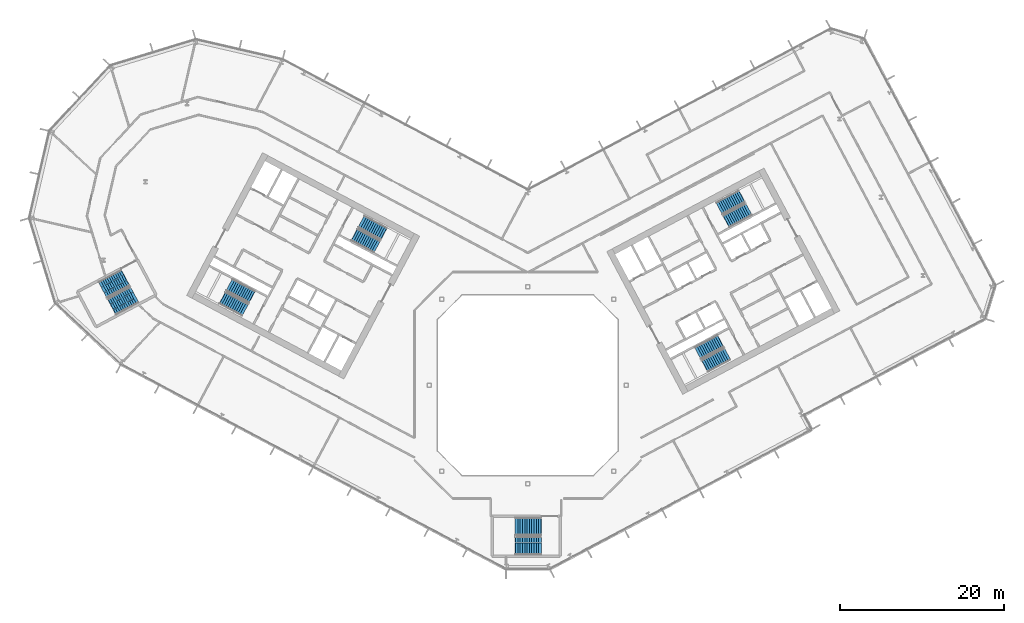
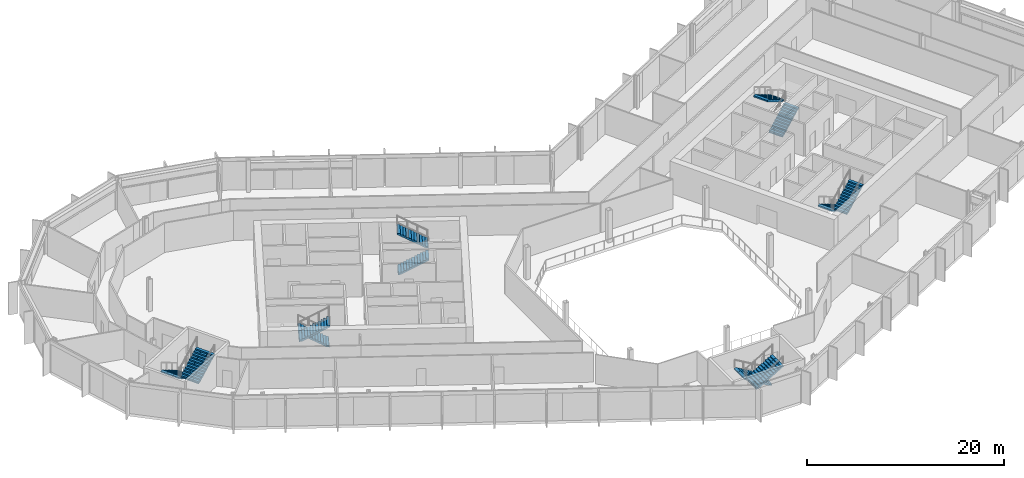
# One storey, part 18 of 28: 12 stair flights, 6 elements without a shape of their own.
"""IFC4 building model written with IfcOpenShell, lengths in metres."""

import ifcopenshell
import ifcopenshell.guid

model = None  # the IFC model being written
_history = None  # IfcOwnerHistory: only IFC2X3 demands one
_inside = {}  # id of a spatial element -> (the spatial element, [elements in it])
_under = {}  # id of a project, library or spatial element -> (it, [spatial elements below it])
_declared = {}  # id of a project -> (the project, [libraries it declares])
_typed = {}  # id of a type object -> (the type object, [elements of that type])
_made_of = {}  # id of a material, layer set ... -> (it, [elements and type objects made of it])


def new_model(schema):
    """Start an empty IFC model of exactly this schema.

    Asked for "IFC4X3", IfcOpenShell would pick the latest addendum, in which some entities
    have other attributes; the version numbers below select the first issue.
    IFC2X3 requires an IfcOwnerHistory on every rooted entity: one is made here for all.
    """
    global model, _history
    if schema == "IFC4X3":
        model = ifcopenshell.file(schema_version=(4, 3, 0, 0))
    else:
        model = ifcopenshell.file(schema=schema)
    _inside.clear()
    _under.clear()
    _declared.clear()
    _typed.clear()
    _made_of.clear()
    _history = None
    if model.schema == "IFC2X3":
        org = make("IfcOrganization", Name="unknown")
        user = make(
            "IfcPersonAndOrganization",
            ThePerson=make("IfcPerson", FamilyName="unknown"),
            TheOrganization=org,
        )
        app = make(
            "IfcApplication",
            ApplicationDeveloper=org,
            Version="unknown",
            ApplicationFullName="unknown",
            ApplicationIdentifier="unknown",
        )
        _history = make(
            "IfcOwnerHistory",
            OwningUser=user,
            OwningApplication=app,
            ChangeAction="ADDED",
            CreationDate=0,
        )
    return model


def make(cls, **values):
    """One entity of the class cls with the attributes given. An attribute that is None is left unset."""
    return model.create_entity(
        cls, **{name: value for name, value in values.items() if value is not None}
    )


def rooted(cls, **values):
    """An entity with a GlobalId (a new one), such as an element, a storey or a relation."""
    return make(cls, GlobalId=ifcopenshell.guid.new(), OwnerHistory=_history, **values)


def si_unit(unit_type, name, prefix=None):
    """IfcSIUnit, for example si_unit("LENGTHUNIT", "METRE", prefix="MILLI")."""
    return make("IfcSIUnit", UnitType=unit_type, Prefix=prefix, Name=name)


def assignment(units):
    """IfcUnitAssignment: the units of a project."""
    return None if units is None else make("IfcUnitAssignment", Units=units)


def point(xyz):
    """IfcCartesianPoint."""
    return None if xyz is None else make("IfcCartesianPoint", Coordinates=xyz)


def direction(xyz):
    """IfcDirection."""
    return None if xyz is None else make("IfcDirection", DirectionRatios=xyz)


def frame(location, z_axis=None, x_axis=None):
    """IfcAxis2Placement3D, a coordinate frame: its origin and axes. An axis left out is left unset."""
    return make(
        "IfcAxis2Placement3D",
        Location=point(location),
        Axis=direction(z_axis),
        RefDirection=direction(x_axis),
    )


def origin():
    """The frame at (0, 0, 0) with its axes left unset."""
    return frame((0.0, 0.0, 0.0))


def place(relative_to, where):
    """IfcLocalPlacement: puts the frame where relative to a parent placement (None: the world)."""
    return make(
        "IfcLocalPlacement", PlacementRelTo=relative_to, RelativePlacement=where
    )


def context(
    kind, dimensions, precision=None, world=None, true_north=None, identifier=None
):
    """IfcGeometricRepresentationContext, for example the 3D "Model" context."""
    return make(
        "IfcGeometricRepresentationContext",
        ContextIdentifier=identifier,
        ContextType=kind,
        CoordinateSpaceDimension=dimensions,
        Precision=precision,
        WorldCoordinateSystem=world,
        TrueNorth=true_north,
    )


def subcontext(parent, identifier, kind, view, scale=None):
    """IfcGeometricRepresentationSubContext, for example "Body" below "Model"."""
    return make(
        "IfcGeometricRepresentationSubContext",
        ContextIdentifier=identifier,
        ContextType=kind,
        ParentContext=parent,
        TargetScale=scale,
        TargetView=view,
    )


def project(units=None, contexts=None):
    """IfcProject with its units and contexts."""
    return rooted(
        "IfcProject",
        Name="project",
        RepresentationContexts=contexts,
        UnitsInContext=assignment(units),
    )


def spatial(cls, under=None, at=None, **own):
    """A site, building, storey or space (cls), placed at a placement, below another one or the project."""
    s = rooted(cls, ObjectPlacement=at, **own)
    if under is not None:
        _under.setdefault(under.id(), (under, []))[1].append(s)
    return s


def polyline(points):
    """IfcPolyline through the points."""
    return make("IfcPolyline", Points=[point(p) for p in points])


def outline(outer, holes=None, kind="AREA"):
    """IfcArbitraryClosedProfileDef: a profile drawn as a closed curve; with holes, ...WithVoids."""
    if holes is None:
        return make("IfcArbitraryClosedProfileDef", ProfileType=kind, OuterCurve=outer)
    return make(
        "IfcArbitraryProfileDefWithVoids",
        ProfileType=kind,
        OuterCurve=outer,
        InnerCurves=holes,
    )


def extrude(swept, where, along, depth):
    """IfcExtrudedAreaSolid: the profile swept, set in the frame where, extruded along a direction by depth."""
    return make(
        "IfcExtrudedAreaSolid",
        SweptArea=swept,
        Position=where,
        ExtrudedDirection=direction(along),
        Depth=depth,
    )


def shape(context_of_items, identifier, shape_type, items):
    """IfcShapeRepresentation: the items that make up one representation, for example the "Body"."""
    return make(
        "IfcShapeRepresentation",
        ContextOfItems=context_of_items,
        RepresentationIdentifier=identifier,
        RepresentationType=shape_type,
        Items=items,
    )


def material(Name=None, Category=None):
    """IfcMaterial."""
    return make("IfcMaterial", Name=Name, Category=Category)


def made_of(thing, what):
    """Note that an element or type object is made of a material, layer set ...; save() writes the relation."""
    if what is not None:
        _made_of.setdefault(what.id(), (what, []))[1].append(thing)
    return thing


def type_object(cls, material=None, **own):
    """A type object (cls), such as IfcWallType, which elements share."""
    return made_of(rooted(cls, **own), material)


def element(
    cls,
    number,
    at=None,
    inside=None,
    cuts=None,
    type_object=None,
    material=None,
    context=None,
    identifier="Body",
    shape_type=None,
    held_by="IfcProductDefinitionShape",
    body=None,
    shapes=None,
    **own,
):
    """One element of the class cls, such as IfcWall. Its Tag is "e" and its number.

    at: its placement. inside: the storey or other place that contains it. cuts: it is an
    opening in that element (IfcRelVoidsElement). A single representation is given by context,
    identifier, shape_type and body (its items); several are given by shapes. held_by: the class
    of the entity that holds the representations. save() writes the other relations.
    """
    e = rooted(cls, Tag="e%d" % number, ObjectPlacement=at, **own)
    if body is not None:
        shapes = [shape(context, identifier, shape_type, body)]
    if shapes is not None:
        e.Representation = make(held_by, Representations=shapes)
    if inside is not None:
        _inside.setdefault(inside.id(), (inside, []))[1].append(e)
    if cuts is not None:
        rooted(
            "IfcRelVoidsElement", RelatingBuildingElement=cuts, RelatedOpeningElement=e
        )
    if type_object is not None:
        _typed.setdefault(type_object.id(), (type_object, []))[1].append(e)
    return made_of(e, material)


def aggregate(whole, parts):
    """IfcRelAggregates: a whole, such as a stair, and the parts it consists of."""
    return rooted("IfcRelAggregates", RelatingObject=whole, RelatedObjects=parts)


def save(model, path):
    """Write the relations noted so far, then the file.

    IfcRelAggregates (storeys below a building ...), IfcRelContainedInSpatialStructure (elements
    in a storey), IfcRelDefinesByType, IfcRelAssociatesMaterial and IfcRelDeclares: one each for
    every whole, place, type object, material and project.
    """
    for whole, parts in _under.values():
        aggregate(whole, parts)
    for where, things in _inside.values():
        rooted(
            "IfcRelContainedInSpatialStructure",
            RelatedElements=things,
            RelatingStructure=where,
        )
    for kind, things in _typed.values():
        rooted("IfcRelDefinesByType", RelatedObjects=things, RelatingType=kind)
    for what, things in _made_of.values():
        rooted("IfcRelAssociatesMaterial", RelatedObjects=things, RelatingMaterial=what)
    for by, libraries in _declared.values():
        rooted("IfcRelDeclares", RelatingContext=by, RelatedDefinitions=libraries)
    model.write(path)


model = new_model("IFC4")

# Units and contexts
model_context = context("Model", 3, precision=1e-05, world=origin(), true_north=direction((0.0, 1.0)))
body_context = subcontext(model_context, "Body", "Model", "MODEL_VIEW")
ifc_project = project(units=[si_unit("LENGTHUNIT", "METRE"), si_unit("AREAUNIT", "SQUARE_METRE"), si_unit("VOLUMEUNIT", "CUBIC_METRE"), si_unit("PLANEANGLEUNIT", "RADIAN"), si_unit("MASSUNIT", "GRAM", prefix="KILO")], contexts=[model_context])

# Site, building, storey
site_placement = place(None, origin())
site = spatial("IfcSite", under=ifc_project, at=site_placement, CompositionType="ELEMENT")
building_placement = place(site_placement, origin())
building = spatial("IfcBuilding", under=site, at=building_placement, Name="Cormorant Relay Tower", CompositionType="ELEMENT")
storey_placement = place(building_placement, frame((0.0, 0.0, 134.199951171875)))
storey = spatial("IfcBuildingStorey", under=building, at=storey_placement, Name="L27", CompositionType="ELEMENT", Elevation=134.199951171875)

# Stair, stair flights
ifc_material_1 = material(Name="Concrete 40 MPa", Category="concrete")
stair_type_1 = type_object("IfcStairType", Name="Exit stair 1500", PredefinedType="HALF_TURN_STAIR", material=ifc_material_1)
stair_1_placement = place(storey_placement, origin())
stair_1 = element("IfcStair", 1, at=stair_1_placement, inside=storey, type_object=stair_type_1, Name="L27 Stair", PredefinedType="HALF_TURN_STAIR")
ifc_material_2 = material(Name="Concrete 40 MPa", Category="concrete")
stair_flight_type_1 = type_object("IfcStairFlightType", Name="Exit stair flight 1650", PredefinedType="STRAIGHT", material=ifc_material_2)
stair_flight_1_placement = place(storey_placement, frame((-21.114501953125, 18.33349609375, 0.0), z_axis=(0.0, 0.0, 1.0), x_axis=(0.882947592859, -0.469471562786, 0.0)))
stair_flight_1 = element("IfcStairFlight", 2, at=stair_flight_1_placement, type_object=stair_flight_type_1, Name="A1 flight 1", NumberOfRisers=12, NumberOfTreads=11, PredefinedType="STRAIGHT", RiserHeight=0.166666667, TreadLength=0.28, context=body_context, shape_type="SweptSolid", body=[
    extrude(outline(polyline([(-0.050048828125, -0.080078125), (-0.050048828125, 0.0), (0.0, 0.0), (0.0, 0.166748046875), (0.280029296875, 0.166748046875), (0.280029296875, 0.333251953125), (0.56005859375, 0.333251953125), (0.56005859375, 0.5), (0.840087890625, 0.5), (0.840087890625, 0.666748046875), (1.1201171875, 0.666748046875), (1.1201171875, 0.833251953125), (1.39990234375, 0.833251953125), (1.39990234375, 1.0), (1.679931640625, 1.0), (1.679931640625, 1.166748046875), (1.9599609375, 1.166748046875), (1.9599609375, 1.333251953125), (2.239990234375, 1.333251953125), (2.239990234375, 1.5), (2.52001953125, 1.5), (2.52001953125, 1.666748046875), (2.800048828125, 1.666748046875), (2.800048828125, 1.833251953125), (3.080078125, 1.833251953125), (3.130126953125, 1.833251953125), (3.130126953125, 1.658935546875), (3.080078125, 1.658935546875), (0.29296875, 0.0), (-0.050048828125, -0.080078125)])), frame((0.0, 0.824951171875, 0.0), z_axis=(0.0, -1.0, 0.0), x_axis=(1.0, 0.0, 0.0)), (0.0, 0.0, 1.0), 1.64990234375),
])
stair_flight_2_placement = place(storey_placement, frame((-17.5498046875, 18.47705078125, 2.0), z_axis=(0.0, 0.0, 1.0), x_axis=(-0.882947592859, 0.469471562786, 0.0)))
stair_flight_2 = element("IfcStairFlight", 3, at=stair_flight_2_placement, type_object=stair_flight_type_1, Name="A1 flight 2", NumberOfRisers=12, NumberOfTreads=11, PredefinedType="STRAIGHT", RiserHeight=0.166666667, TreadLength=0.28, context=body_context, shape_type="SweptSolid", body=[
    extrude(outline(polyline([(-0.050048828125, -0.080078125), (-0.050048828125, 0.0), (0.0, 0.0), (0.0, 0.166748046875), (0.280029296875, 0.166748046875), (0.280029296875, 0.333251953125), (0.56005859375, 0.333251953125), (0.56005859375, 0.5), (0.840087890625, 0.5), (0.840087890625, 0.666748046875), (1.1201171875, 0.666748046875), (1.1201171875, 0.833251953125), (1.39990234375, 0.833251953125), (1.39990234375, 1.0), (1.679931640625, 1.0), (1.679931640625, 1.166748046875), (1.9599609375, 1.166748046875), (1.9599609375, 1.333251953125), (2.239990234375, 1.333251953125), (2.239990234375, 1.5), (2.52001953125, 1.5), (2.52001953125, 1.666748046875), (2.800048828125, 1.666748046875), (2.800048828125, 1.833251953125), (3.080078125, 1.833251953125), (3.130126953125, 1.833251953125), (3.130126953125, 1.658935546875), (3.080078125, 1.658935546875), (0.29296875, 0.0), (-0.050048828125, -0.080078125)])), frame((0.0, 0.824951171875, 0.0), z_axis=(0.0, -1.0, 0.0), x_axis=(1.0, 0.0, 0.0)), (0.0, 0.0, 1.0), 1.64990234375),
])
aggregate(stair_1, [stair_flight_1, stair_flight_2])

stair_2_placement = place(storey_placement, origin())
stair_2 = element("IfcStair", 4, at=stair_2_placement, inside=storey, type_object=stair_type_1, Name="L27 Stair", PredefinedType="HALF_TURN_STAIR")
stair_flight_3_placement = place(storey_placement, frame((-33.62841796875, 10.773681640625, 0.0), z_axis=(0.0, 0.0, 1.0), x_axis=(-0.882947592859, 0.469471562786, 0.0)))
stair_flight_3 = element("IfcStairFlight", 5, at=stair_flight_3_placement, type_object=stair_flight_type_1, Name="A2 flight 1", NumberOfRisers=12, NumberOfTreads=11, PredefinedType="STRAIGHT", RiserHeight=0.166666667, TreadLength=0.28, context=body_context, shape_type="SweptSolid", body=[
    extrude(outline(polyline([(-0.050048828125, -0.080078125), (-0.050048828125, 0.0), (0.0, 0.0), (0.0, 0.166748046875), (0.280029296875, 0.166748046875), (0.280029296875, 0.333251953125), (0.56005859375, 0.333251953125), (0.56005859375, 0.5), (0.840087890625, 0.5), (0.840087890625, 0.666748046875), (1.1201171875, 0.666748046875), (1.1201171875, 0.833251953125), (1.39990234375, 0.833251953125), (1.39990234375, 1.0), (1.679931640625, 1.0), (1.679931640625, 1.166748046875), (1.9599609375, 1.166748046875), (1.9599609375, 1.333251953125), (2.239990234375, 1.333251953125), (2.239990234375, 1.5), (2.52001953125, 1.5), (2.52001953125, 1.666748046875), (2.800048828125, 1.666748046875), (2.800048828125, 1.833251953125), (3.080078125, 1.833251953125), (3.130126953125, 1.833251953125), (3.130126953125, 1.658935546875), (3.080078125, 1.658935546875), (0.29296875, 0.0), (-0.050048828125, -0.080078125)])), frame((0.0, 0.824951171875, 0.0), z_axis=(0.0, -1.0, 0.0), x_axis=(1.0, 0.0, 0.0)), (0.0, 0.0, 1.0), 1.64990234375),
])
stair_flight_4_placement = place(storey_placement, frame((-37.19287109375, 10.63037109375, 2.0), z_axis=(0.0, 0.0, 1.0), x_axis=(0.882947592859, -0.469471562786, 0.0)))
stair_flight_4 = element("IfcStairFlight", 6, at=stair_flight_4_placement, type_object=stair_flight_type_1, Name="A2 flight 2", NumberOfRisers=12, NumberOfTreads=11, PredefinedType="STRAIGHT", RiserHeight=0.166666667, TreadLength=0.28, context=body_context, shape_type="SweptSolid", body=[
    extrude(outline(polyline([(-0.050048828125, -0.080078125), (-0.050048828125, 0.0), (0.0, 0.0), (0.0, 0.166748046875), (0.280029296875, 0.166748046875), (0.280029296875, 0.333251953125), (0.56005859375, 0.333251953125), (0.56005859375, 0.5), (0.840087890625, 0.5), (0.840087890625, 0.666748046875), (1.1201171875, 0.666748046875), (1.1201171875, 0.833251953125), (1.39990234375, 0.833251953125), (1.39990234375, 1.0), (1.679931640625, 1.0), (1.679931640625, 1.166748046875), (1.9599609375, 1.166748046875), (1.9599609375, 1.333251953125), (2.239990234375, 1.333251953125), (2.239990234375, 1.5), (2.52001953125, 1.5), (2.52001953125, 1.666748046875), (2.800048828125, 1.666748046875), (2.800048828125, 1.833251953125), (3.080078125, 1.833251953125), (3.130126953125, 1.833251953125), (3.130126953125, 1.658935546875), (3.080078125, 1.658935546875), (0.29296875, 0.0), (-0.050048828125, -0.080078125)])), frame((0.0, 0.824951171875, 0.0), z_axis=(0.0, -1.0, 0.0), x_axis=(1.0, 0.0, 0.0)), (0.0, 0.0, 1.0), 1.64990234375),
])
aggregate(stair_2, [stair_flight_3, stair_flight_4])

stair_3_placement = place(storey_placement, origin())
stair_3 = element("IfcStair", 7, at=stair_3_placement, inside=storey, type_object=stair_type_1, Name="L27 Stair", PredefinedType="HALF_TURN_STAIR")
stair_flight_5_placement = place(storey_placement, frame((23.474365234375, 5.374755859375, 0.0), z_axis=(0.0, 0.0, 1.0), x_axis=(-0.882947592859, -0.469471562786, 0.0)))
stair_flight_5 = element("IfcStairFlight", 8, at=stair_flight_5_placement, type_object=stair_flight_type_1, Name="B1 flight 1", NumberOfRisers=12, NumberOfTreads=11, PredefinedType="STRAIGHT", RiserHeight=0.166666667, TreadLength=0.28, context=body_context, shape_type="SweptSolid", body=[
    extrude(outline(polyline([(-0.050048828125, -0.080078125), (-0.050048828125, 0.0), (0.0, 0.0), (0.0, 0.166748046875), (0.280029296875, 0.166748046875), (0.280029296875, 0.333251953125), (0.56005859375, 0.333251953125), (0.56005859375, 0.5), (0.840087890625, 0.5), (0.840087890625, 0.666748046875), (1.1201171875, 0.666748046875), (1.1201171875, 0.833251953125), (1.39990234375, 0.833251953125), (1.39990234375, 1.0), (1.679931640625, 1.0), (1.679931640625, 1.166748046875), (1.9599609375, 1.166748046875), (1.9599609375, 1.333251953125), (2.239990234375, 1.333251953125), (2.239990234375, 1.5), (2.52001953125, 1.5), (2.52001953125, 1.666748046875), (2.800048828125, 1.666748046875), (2.800048828125, 1.833251953125), (3.080078125, 1.833251953125), (3.130126953125, 1.833251953125), (3.130126953125, 1.658935546875), (3.080078125, 1.658935546875), (0.29296875, 0.0), (-0.050048828125, -0.080078125)])), frame((0.0, 0.824951171875, 0.0), z_axis=(0.0, -1.0, 0.0), x_axis=(1.0, 0.0, 0.0)), (0.0, 0.0, 1.0), 1.64990234375),
])
stair_flight_6_placement = place(storey_placement, frame((21.60009765625, 2.33935546875, 2.0), z_axis=(0.0, 0.0, 1.0), x_axis=(0.882947592859, 0.469471562786, 0.0)))
stair_flight_6 = element("IfcStairFlight", 9, at=stair_flight_6_placement, type_object=stair_flight_type_1, Name="B1 flight 2", NumberOfRisers=12, NumberOfTreads=11, PredefinedType="STRAIGHT", RiserHeight=0.166666667, TreadLength=0.28, context=body_context, shape_type="SweptSolid", body=[
    extrude(outline(polyline([(-0.050048828125, -0.080078125), (-0.050048828125, 0.0), (0.0, 0.0), (0.0, 0.166748046875), (0.280029296875, 0.166748046875), (0.280029296875, 0.333251953125), (0.56005859375, 0.333251953125), (0.56005859375, 0.5), (0.840087890625, 0.5), (0.840087890625, 0.666748046875), (1.1201171875, 0.666748046875), (1.1201171875, 0.833251953125), (1.39990234375, 0.833251953125), (1.39990234375, 1.0), (1.679931640625, 1.0), (1.679931640625, 1.166748046875), (1.9599609375, 1.166748046875), (1.9599609375, 1.333251953125), (2.239990234375, 1.333251953125), (2.239990234375, 1.5), (2.52001953125, 1.5), (2.52001953125, 1.666748046875), (2.800048828125, 1.666748046875), (2.800048828125, 1.833251953125), (3.080078125, 1.833251953125), (3.130126953125, 1.833251953125), (3.130126953125, 1.658935546875), (3.080078125, 1.658935546875), (0.29296875, 0.0), (-0.050048828125, -0.080078125)])), frame((0.0, 0.824951171875, 0.0), z_axis=(0.0, -1.0, 0.0), x_axis=(1.0, 0.0, 0.0)), (0.0, 0.0, 1.0), 1.64990234375),
])
aggregate(stair_3, [stair_flight_5, stair_flight_6])

stair_4_placement = place(storey_placement, origin())
stair_4 = element("IfcStair", 10, at=stair_4_placement, inside=storey, type_object=stair_type_1, Name="L27 Stair", PredefinedType="HALF_TURN_STAIR")
stair_flight_7_placement = place(storey_placement, frame((24.20458984375, 19.976806640625, 0.0), z_axis=(0.0, 0.0, 1.0), x_axis=(0.882947592859, 0.469471562786, 0.0)))
stair_flight_7 = element("IfcStairFlight", 11, at=stair_flight_7_placement, type_object=stair_flight_type_1, Name="B2 flight 1", NumberOfRisers=12, NumberOfTreads=11, PredefinedType="STRAIGHT", RiserHeight=0.166666667, TreadLength=0.28, context=body_context, shape_type="SweptSolid", body=[
    extrude(outline(polyline([(-0.050048828125, -0.080078125), (-0.050048828125, 0.0), (0.0, 0.0), (0.0, 0.166748046875), (0.280029296875, 0.166748046875), (0.280029296875, 0.333251953125), (0.56005859375, 0.333251953125), (0.56005859375, 0.5), (0.840087890625, 0.5), (0.840087890625, 0.666748046875), (1.1201171875, 0.666748046875), (1.1201171875, 0.833251953125), (1.39990234375, 0.833251953125), (1.39990234375, 1.0), (1.679931640625, 1.0), (1.679931640625, 1.166748046875), (1.9599609375, 1.166748046875), (1.9599609375, 1.333251953125), (2.239990234375, 1.333251953125), (2.239990234375, 1.5), (2.52001953125, 1.5), (2.52001953125, 1.666748046875), (2.800048828125, 1.666748046875), (2.800048828125, 1.833251953125), (3.080078125, 1.833251953125), (3.130126953125, 1.833251953125), (3.130126953125, 1.658935546875), (3.080078125, 1.658935546875), (0.29296875, 0.0), (-0.050048828125, -0.080078125)])), frame((0.0, 0.824951171875, 0.0), z_axis=(0.0, -1.0, 0.0), x_axis=(1.0, 0.0, 0.0)), (0.0, 0.0, 1.0), 1.64990234375),
])
stair_flight_8_placement = place(storey_placement, frame((26.0791015625, 23.011962890625, 2.0), z_axis=(0.0, 0.0, 1.0), x_axis=(-0.882947592859, -0.469471562786, 0.0)))
stair_flight_8 = element("IfcStairFlight", 12, at=stair_flight_8_placement, type_object=stair_flight_type_1, Name="B2 flight 2", NumberOfRisers=12, NumberOfTreads=11, PredefinedType="STRAIGHT", RiserHeight=0.166666667, TreadLength=0.28, context=body_context, shape_type="SweptSolid", body=[
    extrude(outline(polyline([(-0.050048828125, -0.080078125), (-0.050048828125, 0.0), (0.0, 0.0), (0.0, 0.166748046875), (0.280029296875, 0.166748046875), (0.280029296875, 0.333251953125), (0.56005859375, 0.333251953125), (0.56005859375, 0.5), (0.840087890625, 0.5), (0.840087890625, 0.666748046875), (1.1201171875, 0.666748046875), (1.1201171875, 0.833251953125), (1.39990234375, 0.833251953125), (1.39990234375, 1.0), (1.679931640625, 1.0), (1.679931640625, 1.166748046875), (1.9599609375, 1.166748046875), (1.9599609375, 1.333251953125), (2.239990234375, 1.333251953125), (2.239990234375, 1.5), (2.52001953125, 1.5), (2.52001953125, 1.666748046875), (2.800048828125, 1.666748046875), (2.800048828125, 1.833251953125), (3.080078125, 1.833251953125), (3.130126953125, 1.833251953125), (3.130126953125, 1.658935546875), (3.080078125, 1.658935546875), (0.29296875, 0.0), (-0.050048828125, -0.080078125)])), frame((0.0, 0.824951171875, 0.0), z_axis=(0.0, -1.0, 0.0), x_axis=(1.0, 0.0, 0.0)), (0.0, 0.0, 1.0), 1.64990234375),
])
aggregate(stair_4, [stair_flight_7, stair_flight_8])

ifc_material_3 = material(Name="Concrete 40 MPa", Category="concrete")
stair_type_2 = type_object("IfcStairType", Name="Remote exit stair 2200", PredefinedType="HALF_TURN_STAIR", material=ifc_material_3)
stair_5_placement = place(storey_placement, origin())
stair_5 = element("IfcStair", 13, at=stair_5_placement, inside=storey, type_object=stair_type_2, Name="L27 Stair", PredefinedType="HALF_TURN_STAIR")
ifc_material_4 = material(Name="Concrete 40 MPa", Category="concrete")
stair_flight_type_2 = type_object("IfcStairFlightType", Name="Remote exit stair flight 2200", PredefinedType="STRAIGHT", material=ifc_material_4)
stair_flight_9_placement = place(storey_placement, frame((1.60009765625, -17.22509765625, 0.0), z_axis=(0.0, 0.0, 1.0), x_axis=(-1.0, 0.0, 0.0)))
stair_flight_9 = element("IfcStairFlight", 14, at=stair_flight_9_placement, type_object=stair_flight_type_2, Name="RK1 flight 1", NumberOfRisers=12, NumberOfTreads=11, PredefinedType="STRAIGHT", RiserHeight=0.166666667, TreadLength=0.28, context=body_context, shape_type="SweptSolid", body=[
    extrude(outline(polyline([(-0.050048828125, -0.080078125), (-0.050048828125, 0.0), (0.0, 0.0), (0.0, 0.166748046875), (0.280029296875, 0.166748046875), (0.280029296875, 0.333251953125), (0.56005859375, 0.333251953125), (0.56005859375, 0.5), (0.840087890625, 0.5), (0.840087890625, 0.666748046875), (1.1201171875, 0.666748046875), (1.1201171875, 0.833251953125), (1.39990234375, 0.833251953125), (1.39990234375, 1.0), (1.679931640625, 1.0), (1.679931640625, 1.166748046875), (1.9599609375, 1.166748046875), (1.9599609375, 1.333251953125), (2.239990234375, 1.333251953125), (2.239990234375, 1.5), (2.52001953125, 1.5), (2.52001953125, 1.666748046875), (2.800048828125, 1.666748046875), (2.800048828125, 1.833251953125), (3.080078125, 1.833251953125), (3.130126953125, 1.833251953125), (3.130126953125, 1.658935546875), (3.080078125, 1.658935546875), (0.29296875, 0.0), (-0.050048828125, -0.080078125)])), frame((0.0, 1.10009765625, 0.0), z_axis=(0.0, -1.0, 0.0), x_axis=(1.0, 0.0, 0.0)), (0.0, 0.0, 1.0), 0.719970703125),
    extrude(outline(polyline([(-0.050048828125, -0.080078125), (-0.050048828125, 0.0), (0.0, 0.0), (0.0, 0.166748046875), (0.280029296875, 0.166748046875), (0.280029296875, 0.333251953125), (0.56005859375, 0.333251953125), (0.56005859375, 0.5), (0.840087890625, 0.5), (0.840087890625, 0.666748046875), (1.1201171875, 0.666748046875), (1.1201171875, 0.833251953125), (1.39990234375, 0.833251953125), (1.39990234375, 1.0), (1.679931640625, 1.0), (1.679931640625, 1.166748046875), (1.9599609375, 1.166748046875), (1.9599609375, 1.333251953125), (2.239990234375, 1.333251953125), (2.239990234375, 1.5), (2.52001953125, 1.5), (2.52001953125, 1.666748046875), (2.800048828125, 1.666748046875), (2.800048828125, 1.833251953125), (3.080078125, 1.833251953125), (3.130126953125, 1.833251953125), (3.130126953125, 1.658935546875), (3.080078125, 1.658935546875), (0.29296875, 0.0), (-0.050048828125, -0.080078125)])), frame((0.0, 0.360107421875, 0.0), z_axis=(0.0, -1.0, 0.0), x_axis=(1.0, 0.0, 0.0)), (0.0, 0.0, 1.0), 0.719970703125),
    extrude(outline(polyline([(-0.050048828125, -0.080078125), (-0.050048828125, 0.0), (0.0, 0.0), (0.0, 0.166748046875), (0.280029296875, 0.166748046875), (0.280029296875, 0.333251953125), (0.56005859375, 0.333251953125), (0.56005859375, 0.5), (0.840087890625, 0.5), (0.840087890625, 0.666748046875), (1.1201171875, 0.666748046875), (1.1201171875, 0.833251953125), (1.39990234375, 0.833251953125), (1.39990234375, 1.0), (1.679931640625, 1.0), (1.679931640625, 1.166748046875), (1.9599609375, 1.166748046875), (1.9599609375, 1.333251953125), (2.239990234375, 1.333251953125), (2.239990234375, 1.5), (2.52001953125, 1.5), (2.52001953125, 1.666748046875), (2.800048828125, 1.666748046875), (2.800048828125, 1.833251953125), (3.080078125, 1.833251953125), (3.130126953125, 1.833251953125), (3.130126953125, 1.658935546875), (3.080078125, 1.658935546875), (0.29296875, 0.0), (-0.050048828125, -0.080078125)])), frame((0.0, -0.3798828125, 0.0), z_axis=(0.0, -1.0, 0.0), x_axis=(1.0, 0.0, 0.0)), (0.0, 0.0, 1.0), 0.719970703125),
])
stair_flight_10_placement = place(storey_placement, frame((-1.47998046875, -19.574951171875, 2.0), z_axis=(0.0, 0.0, 1.0), x_axis=(1.0, 0.0, 0.0)))
stair_flight_10 = element("IfcStairFlight", 15, at=stair_flight_10_placement, type_object=stair_flight_type_2, Name="RK1 flight 2", NumberOfRisers=12, NumberOfTreads=11, PredefinedType="STRAIGHT", RiserHeight=0.166666667, TreadLength=0.28, context=body_context, shape_type="SweptSolid", body=[
    extrude(outline(polyline([(-0.050048828125, -0.080078125), (-0.050048828125, 0.0), (0.0, 0.0), (0.0, 0.166748046875), (0.280029296875, 0.166748046875), (0.280029296875, 0.333251953125), (0.56005859375, 0.333251953125), (0.56005859375, 0.5), (0.840087890625, 0.5), (0.840087890625, 0.666748046875), (1.1201171875, 0.666748046875), (1.1201171875, 0.833251953125), (1.39990234375, 0.833251953125), (1.39990234375, 1.0), (1.679931640625, 1.0), (1.679931640625, 1.166748046875), (1.9599609375, 1.166748046875), (1.9599609375, 1.333251953125), (2.239990234375, 1.333251953125), (2.239990234375, 1.5), (2.52001953125, 1.5), (2.52001953125, 1.666748046875), (2.800048828125, 1.666748046875), (2.800048828125, 1.833251953125), (3.080078125, 1.833251953125), (3.130126953125, 1.833251953125), (3.130126953125, 1.658935546875), (3.080078125, 1.658935546875), (0.29296875, 0.0), (-0.050048828125, -0.080078125)])), frame((0.0, 1.10009765625, 0.0), z_axis=(0.0, -1.0, 0.0), x_axis=(1.0, 0.0, 0.0)), (0.0, 0.0, 1.0), 0.719970703125),
    extrude(outline(polyline([(-0.050048828125, -0.080078125), (-0.050048828125, 0.0), (0.0, 0.0), (0.0, 0.166748046875), (0.280029296875, 0.166748046875), (0.280029296875, 0.333251953125), (0.56005859375, 0.333251953125), (0.56005859375, 0.5), (0.840087890625, 0.5), (0.840087890625, 0.666748046875), (1.1201171875, 0.666748046875), (1.1201171875, 0.833251953125), (1.39990234375, 0.833251953125), (1.39990234375, 1.0), (1.679931640625, 1.0), (1.679931640625, 1.166748046875), (1.9599609375, 1.166748046875), (1.9599609375, 1.333251953125), (2.239990234375, 1.333251953125), (2.239990234375, 1.5), (2.52001953125, 1.5), (2.52001953125, 1.666748046875), (2.800048828125, 1.666748046875), (2.800048828125, 1.833251953125), (3.080078125, 1.833251953125), (3.130126953125, 1.833251953125), (3.130126953125, 1.658935546875), (3.080078125, 1.658935546875), (0.29296875, 0.0), (-0.050048828125, -0.080078125)])), frame((0.0, 0.360107421875, 0.0), z_axis=(0.0, -1.0, 0.0), x_axis=(1.0, 0.0, 0.0)), (0.0, 0.0, 1.0), 0.719970703125),
    extrude(outline(polyline([(-0.050048828125, -0.080078125), (-0.050048828125, 0.0), (0.0, 0.0), (0.0, 0.166748046875), (0.280029296875, 0.166748046875), (0.280029296875, 0.333251953125), (0.56005859375, 0.333251953125), (0.56005859375, 0.5), (0.840087890625, 0.5), (0.840087890625, 0.666748046875), (1.1201171875, 0.666748046875), (1.1201171875, 0.833251953125), (1.39990234375, 0.833251953125), (1.39990234375, 1.0), (1.679931640625, 1.0), (1.679931640625, 1.166748046875), (1.9599609375, 1.166748046875), (1.9599609375, 1.333251953125), (2.239990234375, 1.333251953125), (2.239990234375, 1.5), (2.52001953125, 1.5), (2.52001953125, 1.666748046875), (2.800048828125, 1.666748046875), (2.800048828125, 1.833251953125), (3.080078125, 1.833251953125), (3.130126953125, 1.833251953125), (3.130126953125, 1.658935546875), (3.080078125, 1.658935546875), (0.29296875, 0.0), (-0.050048828125, -0.080078125)])), frame((0.0, -0.3798828125, 0.0), z_axis=(0.0, -1.0, 0.0), x_axis=(1.0, 0.0, 0.0)), (0.0, 0.0, 1.0), 0.719970703125),
])
aggregate(stair_5, [stair_flight_9, stair_flight_10])

stair_6_placement = place(storey_placement, origin())
stair_6 = element("IfcStair", 16, at=stair_6_placement, inside=storey, type_object=stair_type_2, Name="L27 Stair", PredefinedType="HALF_TURN_STAIR")
stair_flight_11_placement = place(storey_placement, frame((-49.062255859375, 13.08251953125, 0.0), z_axis=(0.0, 0.0, 1.0), x_axis=(-0.882947502727, -0.4694717323, 0.0)))
stair_flight_11 = element("IfcStairFlight", 17, at=stair_flight_11_placement, type_object=stair_flight_type_2, Name="RP1 flight 1", NumberOfRisers=12, NumberOfTreads=11, PredefinedType="STRAIGHT", RiserHeight=0.166666667, TreadLength=0.28, context=body_context, shape_type="SweptSolid", body=[
    extrude(outline(polyline([(-0.050048828125, -0.080078125), (-0.050048828125, 0.0), (0.0, 0.0), (0.0, 0.166748046875), (0.280029296875, 0.166748046875), (0.280029296875, 0.333251953125), (0.56005859375, 0.333251953125), (0.56005859375, 0.5), (0.840087890625, 0.5), (0.840087890625, 0.666748046875), (1.1201171875, 0.666748046875), (1.1201171875, 0.833251953125), (1.39990234375, 0.833251953125), (1.39990234375, 1.0), (1.679931640625, 1.0), (1.679931640625, 1.166748046875), (1.9599609375, 1.166748046875), (1.9599609375, 1.333251953125), (2.239990234375, 1.333251953125), (2.239990234375, 1.5), (2.52001953125, 1.5), (2.52001953125, 1.666748046875), (2.800048828125, 1.666748046875), (2.800048828125, 1.833251953125), (3.080078125, 1.833251953125), (3.130126953125, 1.833251953125), (3.130126953125, 1.658935546875), (3.080078125, 1.658935546875), (0.29296875, 0.0), (-0.050048828125, -0.080078125)])), frame((0.0, 1.10009765625, 0.0), z_axis=(0.0, -1.0, 0.0), x_axis=(1.0, 0.0, 0.0)), (0.0, 0.0, 1.0), 0.719970703125),
    extrude(outline(polyline([(-0.050048828125, -0.080078125), (-0.050048828125, 0.0), (0.0, 0.0), (0.0, 0.166748046875), (0.280029296875, 0.166748046875), (0.280029296875, 0.333251953125), (0.56005859375, 0.333251953125), (0.56005859375, 0.5), (0.840087890625, 0.5), (0.840087890625, 0.666748046875), (1.1201171875, 0.666748046875), (1.1201171875, 0.833251953125), (1.39990234375, 0.833251953125), (1.39990234375, 1.0), (1.679931640625, 1.0), (1.679931640625, 1.166748046875), (1.9599609375, 1.166748046875), (1.9599609375, 1.333251953125), (2.239990234375, 1.333251953125), (2.239990234375, 1.5), (2.52001953125, 1.5), (2.52001953125, 1.666748046875), (2.800048828125, 1.666748046875), (2.800048828125, 1.833251953125), (3.080078125, 1.833251953125), (3.130126953125, 1.833251953125), (3.130126953125, 1.658935546875), (3.080078125, 1.658935546875), (0.29296875, 0.0), (-0.050048828125, -0.080078125)])), frame((0.0, 0.360107421875, 0.0), z_axis=(0.0, -1.0, 0.0), x_axis=(1.0, 0.0, 0.0)), (0.0, 0.0, 1.0), 0.719970703125),
    extrude(outline(polyline([(-0.050048828125, -0.080078125), (-0.050048828125, 0.0), (0.0, 0.0), (0.0, 0.166748046875), (0.280029296875, 0.166748046875), (0.280029296875, 0.333251953125), (0.56005859375, 0.333251953125), (0.56005859375, 0.5), (0.840087890625, 0.5), (0.840087890625, 0.666748046875), (1.1201171875, 0.666748046875), (1.1201171875, 0.833251953125), (1.39990234375, 0.833251953125), (1.39990234375, 1.0), (1.679931640625, 1.0), (1.679931640625, 1.166748046875), (1.9599609375, 1.166748046875), (1.9599609375, 1.333251953125), (2.239990234375, 1.333251953125), (2.239990234375, 1.5), (2.52001953125, 1.5), (2.52001953125, 1.666748046875), (2.800048828125, 1.666748046875), (2.800048828125, 1.833251953125), (3.080078125, 1.833251953125), (3.130126953125, 1.833251953125), (3.130126953125, 1.658935546875), (3.080078125, 1.658935546875), (0.29296875, 0.0), (-0.050048828125, -0.080078125)])), frame((0.0, -0.3798828125, 0.0), z_axis=(0.0, -1.0, 0.0), x_axis=(1.0, 0.0, 0.0)), (0.0, 0.0, 1.0), 0.719970703125),
])
stair_flight_12_placement = place(storey_placement, frame((-50.678466796875, 9.5615234375, 2.0), z_axis=(0.0, 0.0, 1.0), x_axis=(0.882947502727, 0.4694717323, 0.0)))
stair_flight_12 = element("IfcStairFlight", 18, at=stair_flight_12_placement, type_object=stair_flight_type_2, Name="RP1 flight 2", NumberOfRisers=12, NumberOfTreads=11, PredefinedType="STRAIGHT", RiserHeight=0.166666667, TreadLength=0.28, context=body_context, shape_type="SweptSolid", body=[
    extrude(outline(polyline([(-0.050048828125, -0.080078125), (-0.050048828125, 0.0), (0.0, 0.0), (0.0, 0.166748046875), (0.280029296875, 0.166748046875), (0.280029296875, 0.333251953125), (0.56005859375, 0.333251953125), (0.56005859375, 0.5), (0.840087890625, 0.5), (0.840087890625, 0.666748046875), (1.1201171875, 0.666748046875), (1.1201171875, 0.833251953125), (1.39990234375, 0.833251953125), (1.39990234375, 1.0), (1.679931640625, 1.0), (1.679931640625, 1.166748046875), (1.9599609375, 1.166748046875), (1.9599609375, 1.333251953125), (2.239990234375, 1.333251953125), (2.239990234375, 1.5), (2.52001953125, 1.5), (2.52001953125, 1.666748046875), (2.800048828125, 1.666748046875), (2.800048828125, 1.833251953125), (3.080078125, 1.833251953125), (3.130126953125, 1.833251953125), (3.130126953125, 1.658935546875), (3.080078125, 1.658935546875), (0.29296875, 0.0), (-0.050048828125, -0.080078125)])), frame((0.0, 1.10009765625, 0.0), z_axis=(0.0, -1.0, 0.0), x_axis=(1.0, 0.0, 0.0)), (0.0, 0.0, 1.0), 0.719970703125),
    extrude(outline(polyline([(-0.050048828125, -0.080078125), (-0.050048828125, 0.0), (0.0, 0.0), (0.0, 0.166748046875), (0.280029296875, 0.166748046875), (0.280029296875, 0.333251953125), (0.56005859375, 0.333251953125), (0.56005859375, 0.5), (0.840087890625, 0.5), (0.840087890625, 0.666748046875), (1.1201171875, 0.666748046875), (1.1201171875, 0.833251953125), (1.39990234375, 0.833251953125), (1.39990234375, 1.0), (1.679931640625, 1.0), (1.679931640625, 1.166748046875), (1.9599609375, 1.166748046875), (1.9599609375, 1.333251953125), (2.239990234375, 1.333251953125), (2.239990234375, 1.5), (2.52001953125, 1.5), (2.52001953125, 1.666748046875), (2.800048828125, 1.666748046875), (2.800048828125, 1.833251953125), (3.080078125, 1.833251953125), (3.130126953125, 1.833251953125), (3.130126953125, 1.658935546875), (3.080078125, 1.658935546875), (0.29296875, 0.0), (-0.050048828125, -0.080078125)])), frame((0.0, 0.360107421875, 0.0), z_axis=(0.0, -1.0, 0.0), x_axis=(1.0, 0.0, 0.0)), (0.0, 0.0, 1.0), 0.719970703125),
    extrude(outline(polyline([(-0.050048828125, -0.080078125), (-0.050048828125, 0.0), (0.0, 0.0), (0.0, 0.166748046875), (0.280029296875, 0.166748046875), (0.280029296875, 0.333251953125), (0.56005859375, 0.333251953125), (0.56005859375, 0.5), (0.840087890625, 0.5), (0.840087890625, 0.666748046875), (1.1201171875, 0.666748046875), (1.1201171875, 0.833251953125), (1.39990234375, 0.833251953125), (1.39990234375, 1.0), (1.679931640625, 1.0), (1.679931640625, 1.166748046875), (1.9599609375, 1.166748046875), (1.9599609375, 1.333251953125), (2.239990234375, 1.333251953125), (2.239990234375, 1.5), (2.52001953125, 1.5), (2.52001953125, 1.666748046875), (2.800048828125, 1.666748046875), (2.800048828125, 1.833251953125), (3.080078125, 1.833251953125), (3.130126953125, 1.833251953125), (3.130126953125, 1.658935546875), (3.080078125, 1.658935546875), (0.29296875, 0.0), (-0.050048828125, -0.080078125)])), frame((0.0, -0.3798828125, 0.0), z_axis=(0.0, -1.0, 0.0), x_axis=(1.0, 0.0, 0.0)), (0.0, 0.0, 1.0), 0.719970703125),
])
aggregate(stair_6, [stair_flight_11, stair_flight_12])

save(model, "model.ifc")
